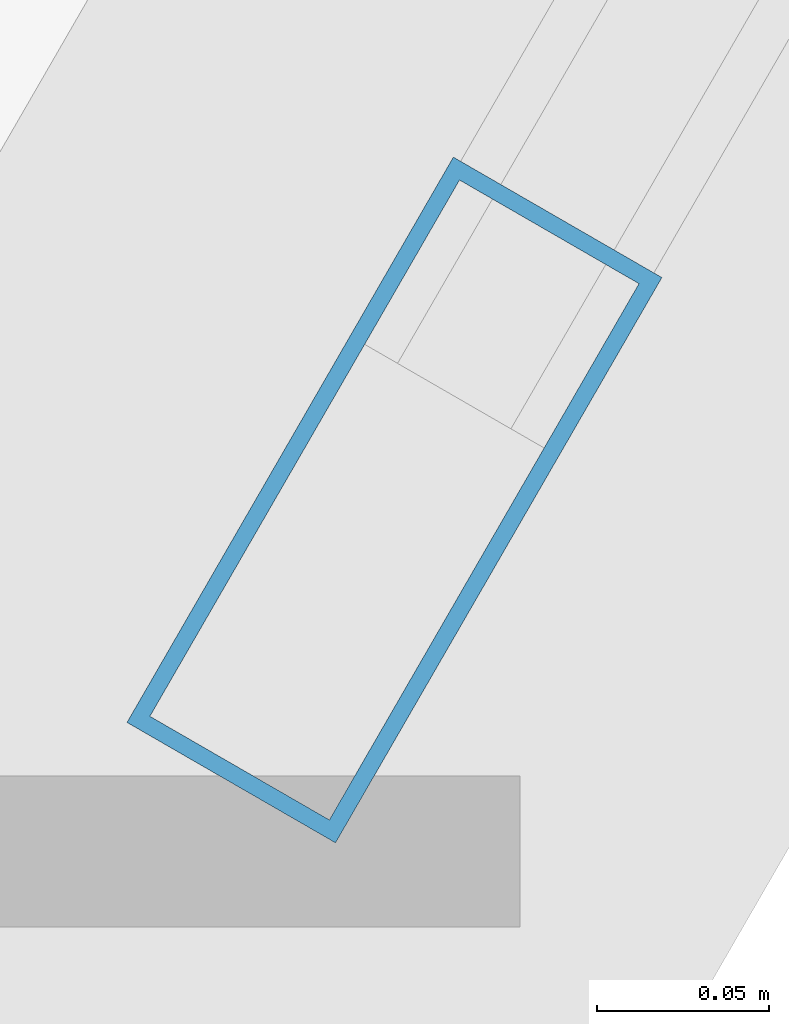
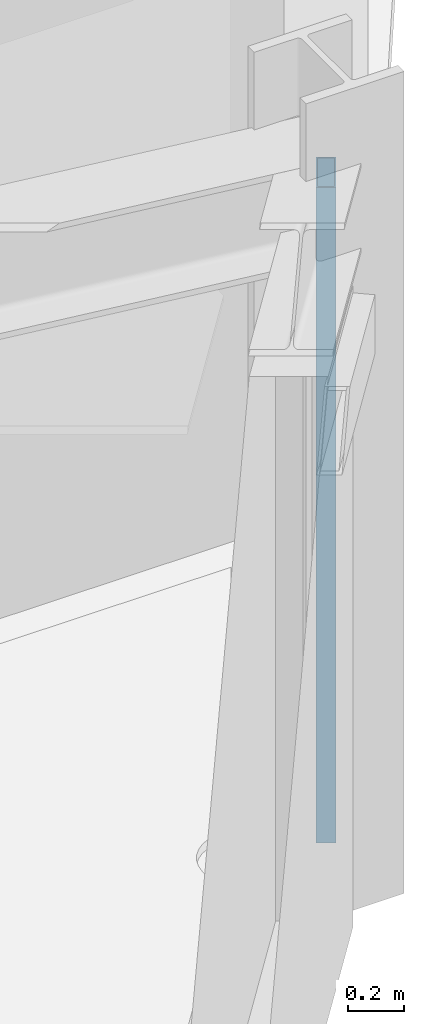
# One storey, part 4 of 16: 1 member, 1 element without a shape of its own.
"""IFC4 building model written with IfcOpenShell, lengths in metres."""

import ifcopenshell
import ifcopenshell.guid

model = None  # the IFC model being written
_history = None  # IfcOwnerHistory: only IFC2X3 demands one
_inside = {}  # id of a spatial element -> (the spatial element, [elements in it])
_under = {}  # id of a project, library or spatial element -> (it, [spatial elements below it])
_declared = {}  # id of a project -> (the project, [libraries it declares])
_typed = {}  # id of a type object -> (the type object, [elements of that type])
_made_of = {}  # id of a material, layer set ... -> (it, [elements and type objects made of it])


def new_model(schema):
    """Start an empty IFC model of exactly this schema.

    Asked for "IFC4X3", IfcOpenShell would pick the latest addendum, in which some entities
    have other attributes; the version numbers below select the first issue.
    IFC2X3 requires an IfcOwnerHistory on every rooted entity: one is made here for all.
    """
    global model, _history
    if schema == "IFC4X3":
        model = ifcopenshell.file(schema_version=(4, 3, 0, 0))
    else:
        model = ifcopenshell.file(schema=schema)
    _inside.clear()
    _under.clear()
    _declared.clear()
    _typed.clear()
    _made_of.clear()
    _history = None
    if model.schema == "IFC2X3":
        org = make("IfcOrganization", Name="unknown")
        user = make(
            "IfcPersonAndOrganization",
            ThePerson=make("IfcPerson", FamilyName="unknown"),
            TheOrganization=org,
        )
        app = make(
            "IfcApplication",
            ApplicationDeveloper=org,
            Version="unknown",
            ApplicationFullName="unknown",
            ApplicationIdentifier="unknown",
        )
        _history = make(
            "IfcOwnerHistory",
            OwningUser=user,
            OwningApplication=app,
            ChangeAction="ADDED",
            CreationDate=0,
        )
    return model


def make(cls, **values):
    """One entity of the class cls with the attributes given. An attribute that is None is left unset."""
    return model.create_entity(
        cls, **{name: value for name, value in values.items() if value is not None}
    )


def rooted(cls, **values):
    """An entity with a GlobalId (a new one), such as an element, a storey or a relation."""
    return make(cls, GlobalId=ifcopenshell.guid.new(), OwnerHistory=_history, **values)


def si_unit(unit_type, name, prefix=None):
    """IfcSIUnit, for example si_unit("LENGTHUNIT", "METRE", prefix="MILLI")."""
    return make("IfcSIUnit", UnitType=unit_type, Prefix=prefix, Name=name)


def derived_unit(unit_type, elements):
    """IfcDerivedUnit: a product of units, each with its exponent."""
    return make(
        "IfcDerivedUnit",
        Elements=[
            make("IfcDerivedUnitElement", Unit=unit, Exponent=power)
            for unit, power in elements
        ],
        UnitType=unit_type,
    )


def assignment(units):
    """IfcUnitAssignment: the units of a project."""
    return None if units is None else make("IfcUnitAssignment", Units=units)


def point(xyz):
    """IfcCartesianPoint."""
    return None if xyz is None else make("IfcCartesianPoint", Coordinates=xyz)


def direction(xyz):
    """IfcDirection."""
    return None if xyz is None else make("IfcDirection", DirectionRatios=xyz)


def frame(location, z_axis=None, x_axis=None):
    """IfcAxis2Placement3D, a coordinate frame: its origin and axes. An axis left out is left unset."""
    return make(
        "IfcAxis2Placement3D",
        Location=point(location),
        Axis=direction(z_axis),
        RefDirection=direction(x_axis),
    )


def frame_2d(location, x_axis=None):
    """IfcAxis2Placement2D, a coordinate frame in the plane: its origin and x axis."""
    return make(
        "IfcAxis2Placement2D", Location=point(location), RefDirection=direction(x_axis)
    )


def origin():
    """The frame at (0, 0, 0) with its axes left unset."""
    return frame((0.0, 0.0, 0.0))


def origin_2d():
    """The frame at (0, 0) in the plane with its x axis left unset."""
    return frame_2d((0.0, 0.0))


def place(relative_to, where):
    """IfcLocalPlacement: puts the frame where relative to a parent placement (None: the world)."""
    return make(
        "IfcLocalPlacement", PlacementRelTo=relative_to, RelativePlacement=where
    )


def context(
    kind, dimensions, precision=None, world=None, true_north=None, identifier=None
):
    """IfcGeometricRepresentationContext, for example the 3D "Model" context."""
    return make(
        "IfcGeometricRepresentationContext",
        ContextIdentifier=identifier,
        ContextType=kind,
        CoordinateSpaceDimension=dimensions,
        Precision=precision,
        WorldCoordinateSystem=world,
        TrueNorth=true_north,
    )


def subcontext(parent, identifier, kind, view, scale=None):
    """IfcGeometricRepresentationSubContext, for example "Body" below "Model"."""
    return make(
        "IfcGeometricRepresentationSubContext",
        ContextIdentifier=identifier,
        ContextType=kind,
        ParentContext=parent,
        TargetScale=scale,
        TargetView=view,
    )


def project(units=None, contexts=None):
    """IfcProject with its units and contexts."""
    return rooted(
        "IfcProject",
        Name="project",
        RepresentationContexts=contexts,
        UnitsInContext=assignment(units),
    )


def spatial(cls, under=None, at=None, **own):
    """A site, building, storey or space (cls), placed at a placement, below another one or the project."""
    s = rooted(cls, ObjectPlacement=at, **own)
    if under is not None:
        _under.setdefault(under.id(), (under, []))[1].append(s)
    return s


def profile(cls, at=None, kind="AREA", **sizes):
    """A parametric profile (cls). Its sizes go by their IFC names, for example OverallWidth=200.0."""
    return make(cls, ProfileType=kind, Position=at, **sizes)


def hollow_rectangle(**sizes):
    """IfcRectangleHollowProfileDef."""
    return profile("IfcRectangleHollowProfileDef", **sizes)


def extrude(swept, where, along, depth):
    """IfcExtrudedAreaSolid: the profile swept, set in the frame where, extruded along a direction by depth."""
    return make(
        "IfcExtrudedAreaSolid",
        SweptArea=swept,
        Position=where,
        ExtrudedDirection=direction(along),
        Depth=depth,
    )


def shape(context_of_items, identifier, shape_type, items):
    """IfcShapeRepresentation: the items that make up one representation, for example the "Body"."""
    return make(
        "IfcShapeRepresentation",
        ContextOfItems=context_of_items,
        RepresentationIdentifier=identifier,
        RepresentationType=shape_type,
        Items=items,
    )


def source(mapping_origin, context_of_items, identifier, shape_type, items):
    """IfcRepresentationMap: a shape defined once, which mapped items show again and again."""
    return make(
        "IfcRepresentationMap",
        MappingOrigin=mapping_origin,
        MappedRepresentation=shape(context_of_items, identifier, shape_type, items),
    )


def transform(
    local_origin,
    x_axis=None,
    y_axis=None,
    z_axis=None,
    scale=None,
    scale2=None,
    scale3=None,
    uniform=True,
):
    """IfcCartesianTransformationOperator3D, or its non-uniform kind. x_axis, y_axis, z_axis: its Axis1, 2, 3."""
    if uniform:
        return make(
            "IfcCartesianTransformationOperator3D",
            Axis1=direction(x_axis),
            Axis2=direction(y_axis),
            LocalOrigin=point(local_origin),
            Scale=scale,
            Axis3=direction(z_axis),
        )
    return make(
        "IfcCartesianTransformationOperator3DnonUniform",
        Axis1=direction(x_axis),
        Axis2=direction(y_axis),
        LocalOrigin=point(local_origin),
        Scale=scale,
        Axis3=direction(z_axis),
        Scale2=scale2,
        Scale3=scale3,
    )


def mapped(mapping_source, mapping_target):
    """IfcMappedItem: shows the shape of a source again, moved by a transform."""
    return make(
        "IfcMappedItem", MappingSource=mapping_source, MappingTarget=mapping_target
    )


def material(Name=None, Category=None):
    """IfcMaterial."""
    return make("IfcMaterial", Name=Name, Category=Category)


def layer(
    of_material, thickness, ventilated=None, Name=None, Category=None, Priority=None
):
    """IfcMaterialLayer: one layer of a wall or slab, of a material (None: an air gap)."""
    return make(
        "IfcMaterialLayer",
        Material=of_material,
        LayerThickness=thickness,
        IsVentilated=ventilated,
        Name=Name,
        Category=Category,
        Priority=Priority,
    )


def layer_set(layers, Name=None):
    """IfcMaterialLayerSet."""
    return make("IfcMaterialLayerSet", MaterialLayers=layers, LayerSetName=Name)


def material_profile(
    of_material, cross_section, Name=None, Category=None, Priority=None
):
    """IfcMaterialProfile: a cross section and its material."""
    return make(
        "IfcMaterialProfile",
        Name=Name,
        Material=of_material,
        Profile=cross_section,
        Priority=Priority,
        Category=Category,
    )


def profile_set(profiles, Name=None, composite=None):
    """IfcMaterialProfileSet."""
    return make(
        "IfcMaterialProfileSet",
        Name=Name,
        MaterialProfiles=profiles,
        CompositeProfile=composite,
    )


def made_of(thing, what):
    """Note that an element or type object is made of a material, layer set ...; save() writes the relation."""
    if what is not None:
        _made_of.setdefault(what.id(), (what, []))[1].append(thing)
    return thing


def type_object(cls, material=None, **own):
    """A type object (cls), such as IfcWallType, which elements share."""
    return made_of(rooted(cls, **own), material)


def element(
    cls,
    number,
    at=None,
    inside=None,
    cuts=None,
    type_object=None,
    material=None,
    context=None,
    identifier="Body",
    shape_type=None,
    held_by="IfcProductDefinitionShape",
    body=None,
    shapes=None,
    **own,
):
    """One element of the class cls, such as IfcWall. Its Tag is "e" and its number.

    at: its placement. inside: the storey or other place that contains it. cuts: it is an
    opening in that element (IfcRelVoidsElement). A single representation is given by context,
    identifier, shape_type and body (its items); several are given by shapes. held_by: the class
    of the entity that holds the representations. save() writes the other relations.
    """
    e = rooted(cls, Tag="e%d" % number, ObjectPlacement=at, **own)
    if body is not None:
        shapes = [shape(context, identifier, shape_type, body)]
    if shapes is not None:
        e.Representation = make(held_by, Representations=shapes)
    if inside is not None:
        _inside.setdefault(inside.id(), (inside, []))[1].append(e)
    if cuts is not None:
        rooted(
            "IfcRelVoidsElement", RelatingBuildingElement=cuts, RelatedOpeningElement=e
        )
    if type_object is not None:
        _typed.setdefault(type_object.id(), (type_object, []))[1].append(e)
    return made_of(e, material)


def aggregate(whole, parts):
    """IfcRelAggregates: a whole, such as a stair, and the parts it consists of."""
    return rooted("IfcRelAggregates", RelatingObject=whole, RelatedObjects=parts)


def save(model, path):
    """Write the relations noted so far, then the file.

    IfcRelAggregates (storeys below a building ...), IfcRelContainedInSpatialStructure (elements
    in a storey), IfcRelDefinesByType, IfcRelAssociatesMaterial and IfcRelDeclares: one each for
    every whole, place, type object, material and project.
    """
    for whole, parts in _under.values():
        aggregate(whole, parts)
    for where, things in _inside.values():
        rooted(
            "IfcRelContainedInSpatialStructure",
            RelatedElements=things,
            RelatingStructure=where,
        )
    for kind, things in _typed.values():
        rooted("IfcRelDefinesByType", RelatedObjects=things, RelatingType=kind)
    for what, things in _made_of.values():
        rooted("IfcRelAssociatesMaterial", RelatedObjects=things, RelatingMaterial=what)
    for by, libraries in _declared.values():
        rooted("IfcRelDeclares", RelatingContext=by, RelatedDefinitions=libraries)
    model.write(path)


model = new_model("IFC4")

# Units and contexts
model_context = context("Model", 3, precision=1e-05, world=origin(), true_north=direction((0.0, 1.0)))
body_context = subcontext(model_context, "Body", "Model", "MODEL_VIEW")
ifc_project = project(units=[si_unit("LENGTHUNIT", "METRE"), si_unit("AREAUNIT", "SQUARE_METRE"), si_unit("VOLUMEUNIT", "CUBIC_METRE"), si_unit("PLANEANGLEUNIT", "RADIAN"), si_unit("MASSUNIT", "GRAM", prefix="KILO"), derived_unit("THERMALTRANSMITTANCEUNIT", [(si_unit("POWERUNIT", "WATT"), 1), (si_unit("LENGTHUNIT", "METRE"), -2), (si_unit("THERMODYNAMICTEMPERATUREUNIT", "KELVIN"), -1)])], contexts=[model_context])

# Site, building, storey
site_placement = place(None, origin())
site = spatial("IfcSite", under=ifc_project, at=site_placement, CompositionType="ELEMENT")
building_placement = place(site_placement, origin())
building = spatial("IfcBuilding", under=site, at=building_placement, Name="Korsvarv Bourse and Concert Hall", CompositionType="ELEMENT")
storey_placement = place(building_placement, frame((0.0, 0.0, 234.60009765625)))
storey = spatial("IfcBuildingStorey", under=building, at=storey_placement, Name="L61", CompositionType="ELEMENT", Elevation=234.60009765625)

# Curtain wall, member
ifc_material_1 = material(Name="Anodised aluminium and triple low-E glazing", Category="glass")
ifc_layer = layer(ifc_material_1, 0.199951171875)
ifc_layer_set = layer_set([ifc_layer], Name="Anodised aluminium and triple low-E glazing")
curtain_wall_type = type_object("IfcCurtainWallType", Name="CW-SYS-3", PredefinedType="NOTDEFINED", material=ifc_layer_set)
curtain_wall_placement = place(storey_placement, origin())
curtain_wall = element("IfcCurtainWall", 1, at=curtain_wall_placement, inside=storey, type_object=curtain_wall_type, Name="L61 CW3 curtain wall CW-L61-F11", PredefinedType="NOTDEFINED")
ifc_material_2 = material(Name="Extruded aluminium EN AW-6063 T66", Category="aluminium")
ifc_material_profile = material_profile(ifc_material_2, hollow_rectangle(XDim=0.070068359375, YDim=0.18994140625, WallThickness=0.0048828125, at=origin_2d()), Name="ALU-M 70x190")
ifc_profile_set = profile_set([ifc_material_profile], Name="Extruded aluminium EN AW-6063 T66")
member_type = type_object("IfcMemberType", Name="CWM-190", PredefinedType="MULLION", material=ifc_profile_set)
shared_shape = source(origin(), body_context, "Body", "SweptSolid", [
    extrude(hollow_rectangle(XDim=0.070068359375, YDim=0.18994140625, WallThickness=0.0048828125, at=origin_2d()), origin(), (0.0, 0.0, 1.0), 2.869873046875),
])
member_placement = place(storey_placement, frame((50.534912109375, 23.418212890625, 0.0), z_axis=(0.0, 0.0, 1.0), x_axis=(-0.86602769294, 0.499996035044, 0.0)))
member = element("IfcMember", 2, at=member_placement, type_object=member_type, Name="CW3 mullion 1", PredefinedType="MULLION", context=body_context, shape_type="MappedRepresentation", body=[
    mapped(shared_shape, transform((0.0, 0.0, 0.0), scale=1.0)),
])
aggregate(curtain_wall, [member])

save(model, "model.ifc")
